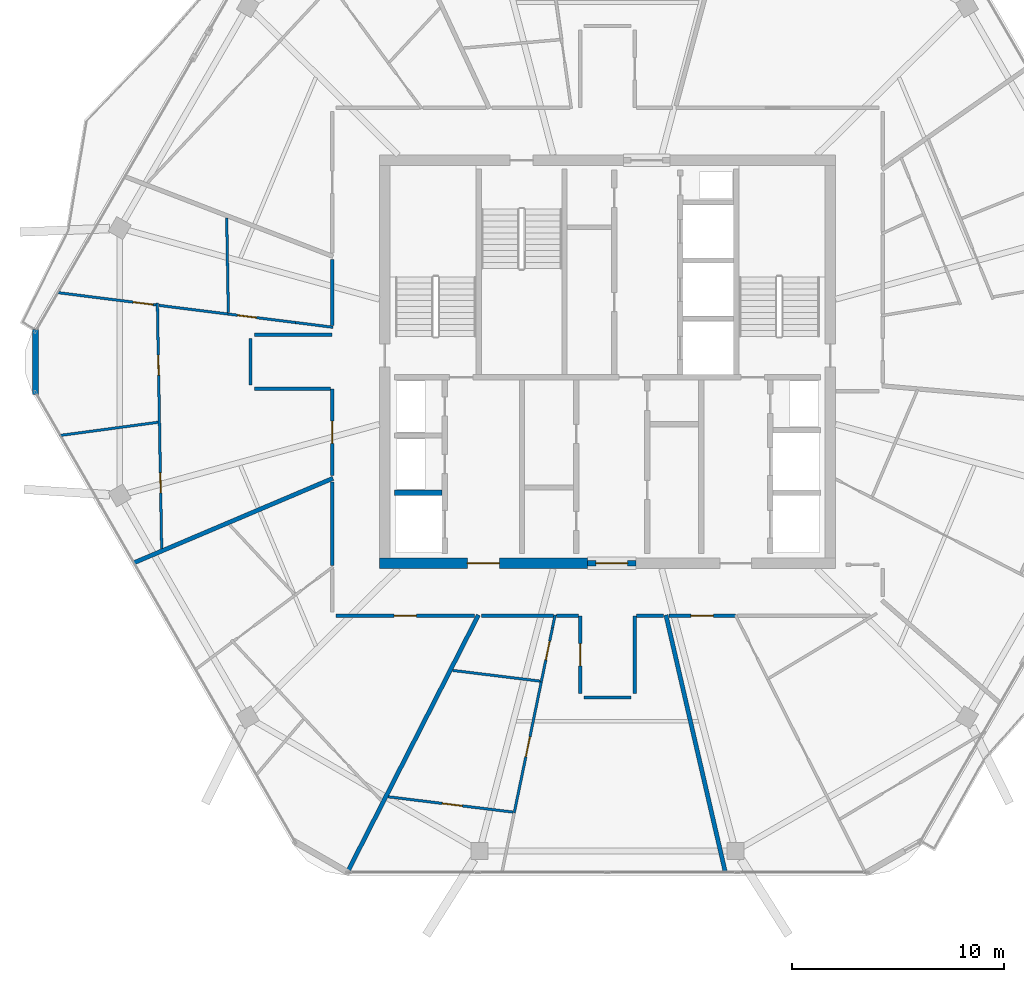
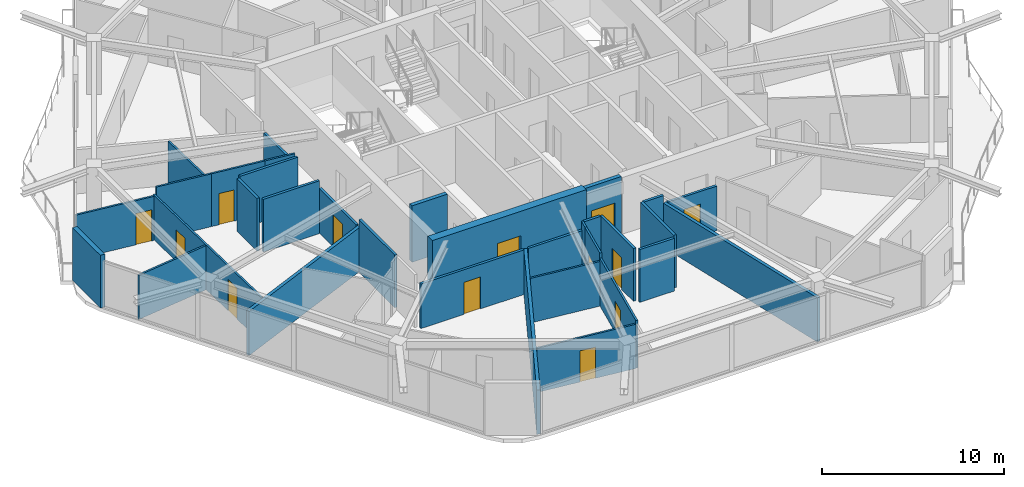
# One storey, part 12 of 19: 33 walls, 13 doors, 13 openings.
"""IFC4 building model written with IfcOpenShell, lengths in metres."""

from ifc_helpers import new_model, si_unit, direction, frame, frame_2d, origin, place, context, subcontext, project, spatial, rectangle, extrude, material, layer, layer_set, type_object, element, fill, save


model = new_model("IFC4")

# Units and contexts
model_context = context("Model", 3, precision=1e-05, world=origin(), true_north=direction((0.0, 1.0)))
body_context = subcontext(model_context, "Body", "Model", "MODEL_VIEW")
ifc_project = project(units=[si_unit("LENGTHUNIT", "METRE"), si_unit("AREAUNIT", "SQUARE_METRE"), si_unit("VOLUMEUNIT", "CUBIC_METRE"), si_unit("PLANEANGLEUNIT", "RADIAN"), si_unit("MASSUNIT", "GRAM", prefix="KILO")], contexts=[model_context])

# Site, building, storey
site_placement = place(None, origin())
site = spatial("IfcSite", under=ifc_project, at=site_placement, CompositionType="ELEMENT")
building_placement = place(site_placement, origin())
building = spatial("IfcBuilding", under=site, at=building_placement, Name="Zuhravey Tower", CompositionType="ELEMENT")
storey_placement = place(building_placement, frame((0.0, 0.0, 327.199951171875)))
storey = spatial("IfcBuildingStorey", under=building, at=storey_placement, Name="L83", CompositionType="ELEMENT", Elevation=327.199951171875)

# Wall, opening, door
ifc_material_1 = material(Name="Concrete C50/60", Category="concrete")
ifc_layer_1 = layer(ifc_material_1, 0.5)
ifc_layer_set_1 = layer_set([ifc_layer_1], Name="Concrete C50/60")
wall_type_1 = type_object("IfcWallType", Name="Core Shear Wall 500", PredefinedType="SHEAR", material=ifc_layer_set_1)
wall_1_placement = place(storey_placement, frame((25.25, 22.5, 0.0), z_axis=(0.0, 0.0, 1.0), x_axis=(1.0, 0.0, 0.0)))
wall_1 = element("IfcWall", 1, at=wall_1_placement, inside=storey, type_object=wall_type_1, Name="L83 South-West Core Shear Wall CW50", PredefinedType="SHEAR", context=body_context, shape_type="SweptSolid", body=[
    extrude(rectangle(XDim=9.800048828125, YDim=0.5, at=frame_2d((4.89990234375, 0.0))), origin(), (0.0, 0.0, 1.0), 3.800048828125),
])
opening_1_placement = place(wall_1_placement, frame((4.14990234375, 0.0, 0.0)))
opening_1 = element("IfcOpeningElement", 2, at=opening_1_placement, cuts=wall_1, Name="Opening FFD1", PredefinedType="OPENING", context=body_context, shape_type="SweptSolid", body=[
    extrude(rectangle(XDim=1.5, YDim=2.14990234375, at=frame_2d((0.75, 1.074951171875))), frame((0.0, 0.261962890625, 0.0), z_axis=(0.0, -1.0, 0.0), x_axis=(1.0, 0.0, 0.0)), (0.0, 0.0, 1.0), 0.52392578125),
])
ifc_material_2 = material(Name="Galvanised fire-rated steel leaf", Category="steel")
door_type_1 = type_object("IfcDoorType", Name="Firefighting Lobby Double Door 1500x2150", OperationType="DOUBLE_DOOR_SINGLE_SWING", PredefinedType="DOOR", material=ifc_material_2)
door_1_placement = place(opening_1_placement, origin())
door_1 = element("IfcDoor", 3, at=door_1_placement, inside=storey, type_object=door_type_1, Name="L83 Firefighting Lobby West Door", OperationType="DOUBLE_DOOR_SINGLE_SWING", OverallHeight=2.14990234375, OverallWidth=1.5, PredefinedType="DOOR", context=body_context, shape_type="SweptSolid", body=[
    extrude(rectangle(XDim=1.5, YDim=2.14990234375, at=frame_2d((0.75, 1.074951171875))), frame((0.0, 0.02490234375, 0.0), z_axis=(0.0, -1.0, 0.0), x_axis=(1.0, 0.0, 0.0)), (0.0, 0.0, 1.0), 0.050048828125),
])
fill(opening_1, door_1)

ifc_material_3 = material(Name="Gypsum fire-rated stud partition")
ifc_layer_2 = layer(ifc_material_3, 0.159912109375)
ifc_layer_set_2 = layer_set([ifc_layer_2], Name="Gypsum fire-rated stud partition")
wall_type_2 = type_object("IfcWallType", Name="Corridor Fire Partition 160", PredefinedType="PARTITIONING", material=ifc_layer_set_2)
wall_2_placement = place(storey_placement, frame((23.02001953125, 30.719970703125, 0.0), z_axis=(0.0, 0.0, 1.0), x_axis=(0.0, -1.0, 0.0)))
wall_2 = element("IfcWall", 4, at=wall_2_placement, inside=storey, type_object=wall_type_2, Name="L83 IW16 Partition 030", PredefinedType="PARTITIONING", context=body_context, shape_type="SweptSolid", body=[
    extrude(rectangle(XDim=4.07470703125, YDim=0.159912109375, at=frame_2d((2.037353515625, 0.0))), origin(), (0.0, 0.0, 1.0), 3.0),
])
opening_2_placement = place(wall_2_placement, frame((1.512451171875, 0.0, 0.0)))
opening_2 = element("IfcOpeningElement", 5, at=opening_2_placement, cuts=wall_2, Name="Opening APD1", PredefinedType="OPENING", context=body_context, shape_type="SweptSolid", body=[
    extrude(rectangle(XDim=1.050048828125, YDim=2.14990234375, at=frame_2d((0.52490234375, 1.074951171875))), frame((0.0, 0.092041015625, 0.0), z_axis=(0.0, -1.0, 0.0), x_axis=(1.0, 0.0, 0.0)), (0.0, 0.0, 1.0), 0.183837890625),
])
ifc_material_4 = material(Name="Solid-core oak fire-rated leaf")
door_type_2 = type_object("IfcDoorType", Name="Apartment Entrance Fire Door 1050x2150", OperationType="NOTDEFINED", PredefinedType="DOOR", material=ifc_material_4)
door_2_placement = place(opening_2_placement, frame((1.050048828125, 0.0, 0.0), z_axis=(0.0, 0.0, 1.0), x_axis=(-1.0, 0.0, 0.0)))
door_2 = element("IfcDoor", 6, at=door_2_placement, inside=storey, type_object=door_type_2, Name="L83 Door 030.1", OperationType="SINGLE_SWING_LEFT", OverallHeight=2.14990234375, OverallWidth=1.050048828125, PredefinedType="DOOR", context=body_context, shape_type="SweptSolid", body=[
    extrude(rectangle(XDim=1.050048828125, YDim=2.14990234375, at=frame_2d((0.52490234375, 1.074951171875))), frame((0.0, 0.02490234375, 0.0), z_axis=(0.0, -1.0, 0.0), x_axis=(1.0, 0.0, 0.0)), (0.0, 0.0, 1.0), 0.050048828125),
])
fill(opening_2, door_2)

wall_3_placement = place(storey_placement, frame((23.199951171875, 20.02001953125, 0.0), z_axis=(0.0, 0.0, 1.0), x_axis=(1.0, 0.0, 0.0)))
wall_3 = element("IfcWall", 7, at=wall_3_placement, inside=storey, type_object=wall_type_2, Name="L83 IW16 Partition 035", PredefinedType="PARTITIONING", context=body_context, shape_type="SweptSolid", body=[
    extrude(rectangle(XDim=6.541259765625, YDim=0.159912109375, at=frame_2d((3.2705078125, 0.0))), origin(), (0.0, 0.0, 1.0), 3.0),
])
opening_3_placement = place(wall_3_placement, frame((2.74560546875, 0.0, 0.0)))
opening_3 = element("IfcOpeningElement", 8, at=opening_3_placement, cuts=wall_3, Name="Opening APD1", PredefinedType="OPENING", context=body_context, shape_type="SweptSolid", body=[
    extrude(rectangle(XDim=1.050048828125, YDim=2.14990234375, at=frame_2d((0.52490234375, 1.074951171875))), frame((0.0, 0.092041015625, 0.0), z_axis=(0.0, -1.0, 0.0), x_axis=(1.0, 0.0, 0.0)), (0.0, 0.0, 1.0), 0.183837890625),
])
door_3_placement = place(opening_3_placement, frame((1.050048828125, 0.0, 0.0), z_axis=(0.0, 0.0, 1.0), x_axis=(-1.0, 0.0, 0.0)))
door_3 = element("IfcDoor", 9, at=door_3_placement, inside=storey, type_object=door_type_2, Name="L83 Door 035.1", OperationType="SINGLE_SWING_RIGHT", OverallHeight=2.14990234375, OverallWidth=1.050048828125, PredefinedType="DOOR", context=body_context, shape_type="SweptSolid", body=[
    extrude(rectangle(XDim=1.050048828125, YDim=2.14990234375, at=frame_2d((0.52490234375, 1.074951171875))), frame((0.0, 0.02490234375, 0.0), z_axis=(0.0, -1.0, 0.0), x_axis=(1.0, 0.0, 0.0)), (0.0, 0.0, 1.0), 0.050048828125),
])
fill(opening_3, door_3)

wall_4_placement = place(storey_placement, frame((34.719970703125, 20.02001953125, 0.0), z_axis=(0.0, 0.0, 1.0), x_axis=(0.0, -1.0, 0.0)))
wall_4 = element("IfcWall", 10, at=wall_4_placement, inside=storey, type_object=wall_type_2, Name="L83 IW16 Partition 039", PredefinedType="PARTITIONING", context=body_context, shape_type="SweptSolid", body=[
    extrude(rectangle(XDim=3.669921875, YDim=0.159912109375, at=frame_2d((1.8349609375, 0.0))), origin(), (0.0, 0.0, 1.0), 3.550048828125),
])
opening_4_placement = place(wall_4_placement, frame((1.31005859375, 0.0, 0.0)))
opening_4 = element("IfcOpeningElement", 11, at=opening_4_placement, cuts=wall_4, Name="Opening APD1", PredefinedType="OPENING", context=body_context, shape_type="SweptSolid", body=[
    extrude(rectangle(XDim=1.050048828125, YDim=2.14990234375, at=frame_2d((0.52490234375, 1.074951171875))), frame((0.0, 0.092041015625, 0.0), z_axis=(0.0, -1.0, 0.0), x_axis=(1.0, 0.0, 0.0)), (0.0, 0.0, 1.0), 0.183837890625),
])
door_4_placement = place(opening_4_placement, origin())
door_4 = element("IfcDoor", 12, at=door_4_placement, inside=storey, type_object=door_type_2, Name="L83 Door 039.1", OperationType="SINGLE_SWING_RIGHT", OverallHeight=2.14990234375, OverallWidth=1.050048828125, PredefinedType="DOOR", context=body_context, shape_type="SweptSolid", body=[
    extrude(rectangle(XDim=1.050048828125, YDim=2.14990234375, at=frame_2d((0.52490234375, 1.074951171875))), frame((0.0, 0.02490234375, 0.0), z_axis=(0.0, -1.0, 0.0), x_axis=(1.0, 0.0, 0.0)), (0.0, 0.0, 1.0), 0.050048828125),
])
fill(opening_4, door_4)

wall_5_placement = place(storey_placement, frame((38.896728515625, 20.02001953125, 0.0), z_axis=(0.0, 0.0, 1.0), x_axis=(1.0, 0.0, 0.0)))
wall_5 = element("IfcWall", 13, at=wall_5_placement, inside=storey, type_object=wall_type_2, Name="L83 IW16 Partition 043", PredefinedType="PARTITIONING", context=body_context, shape_type="SweptSolid", body=[
    extrude(rectangle(XDim=3.13232421875, YDim=0.159912109375, at=frame_2d((1.566162109375, 0.0))), origin(), (0.0, 0.0, 1.0), 3.0),
])
opening_5_placement = place(wall_5_placement, frame((1.041259765625, 0.0, 0.0)))
opening_5 = element("IfcOpeningElement", 14, at=opening_5_placement, cuts=wall_5, Name="Opening APD1", PredefinedType="OPENING", context=body_context, shape_type="SweptSolid", body=[
    extrude(rectangle(XDim=1.050048828125, YDim=2.14990234375, at=frame_2d((0.52490234375, 1.074951171875))), frame((0.0, 0.092041015625, 0.0), z_axis=(0.0, -1.0, 0.0), x_axis=(1.0, 0.0, 0.0)), (0.0, 0.0, 1.0), 0.183837890625),
])
door_5_placement = place(opening_5_placement, frame((1.050048828125, 0.0, 0.0), z_axis=(0.0, 0.0, 1.0), x_axis=(-1.0, 0.0, 0.0)))
door_5 = element("IfcDoor", 15, at=door_5_placement, inside=storey, type_object=door_type_2, Name="L83 Door 043.1", OperationType="SINGLE_SWING_RIGHT", OverallHeight=2.14990234375, OverallWidth=1.050048828125, PredefinedType="DOOR", context=body_context, shape_type="SweptSolid", body=[
    extrude(rectangle(XDim=1.050048828125, YDim=2.14990234375, at=frame_2d((0.52490234375, 1.074951171875))), frame((0.0, 0.02490234375, 0.0), z_axis=(0.0, -1.0, 0.0), x_axis=(1.0, 0.0, 0.0)), (0.0, 0.0, 1.0), 0.050048828125),
])
fill(opening_5, door_5)

# Walls
wall_6_placement = place(storey_placement, frame((23.02001953125, 33.280029296875, 0.0), z_axis=(0.0, 0.0, 1.0), x_axis=(-1.0, 0.0, 0.0)))
element("IfcWall", 16, at=wall_6_placement, inside=storey, type_object=wall_type_2, Name="L83 IW16 Partition 095", PredefinedType="PARTITIONING", context=body_context, shape_type="SweptSolid", body=[
    extrude(rectangle(XDim=3.669921875, YDim=0.159912109375, at=frame_2d((1.8349609375, 0.0))), origin(), (0.0, 0.0, 1.0), 3.550048828125),
])
wall_7_placement = place(storey_placement, frame((19.35009765625, 30.719970703125, 0.0), z_axis=(0.0, 0.0, 1.0), x_axis=(1.0, 0.0, 0.0)))
element("IfcWall", 17, at=wall_7_placement, inside=storey, type_object=wall_type_2, Name="L83 IW16 Partition 096", PredefinedType="PARTITIONING", context=body_context, shape_type="SweptSolid", body=[
    extrude(rectangle(XDim=3.581787109375, YDim=0.159912109375, at=frame_2d((1.791015625, 0.0))), origin(), (0.0, 0.0, 1.0), 3.550048828125),
])
wall_8_placement = place(storey_placement, frame((19.169921875, 33.10009765625, 0.0), z_axis=(0.0, 0.0, 1.0), x_axis=(0.0, -1.0, 0.0)))
element("IfcWall", 18, at=wall_8_placement, inside=storey, type_object=wall_type_2, Name="L83 IW16 Partition 097", PredefinedType="PARTITIONING", context=body_context, shape_type="SweptSolid", body=[
    extrude(rectangle(XDim=2.2001953125, YDim=0.159912109375, at=frame_2d((1.10009765625, 0.0))), origin(), (0.0, 0.0, 1.0), 3.550048828125),
])
wall_9_placement = place(storey_placement, frame((23.02001953125, 36.831787109375, 0.0), z_axis=(0.0, 0.0, 1.0), x_axis=(0.0, -1.0, 0.0)))
element("IfcWall", 19, at=wall_9_placement, inside=storey, type_object=wall_type_2, Name="L83 IW16 Partition 098", PredefinedType="PARTITIONING", context=body_context, shape_type="SweptSolid", body=[
    extrude(rectangle(XDim=3.13037109375, YDim=0.159912109375, at=frame_2d((1.565185546875, 0.0))), origin(), (0.0, 0.0, 1.0), 3.0),
])
wall_10_placement = place(storey_placement, frame((23.02001953125, 26.334228515625, 0.0), z_axis=(0.0, 0.0, 1.0), x_axis=(0.0, -1.0, 0.0)))
element("IfcWall", 20, at=wall_10_placement, inside=storey, type_object=wall_type_2, Name="L83 IW16 Partition 100", PredefinedType="PARTITIONING", context=body_context, shape_type="SweptSolid", body=[
    extrude(rectangle(XDim=3.9453125, YDim=0.159912109375, at=frame_2d((1.97265625, 0.0))), origin(), (0.0, 0.0, 1.0), 3.550048828125),
])
wall_11_placement = place(storey_placement, frame((37.280029296875, 16.35009765625, 0.0), z_axis=(0.0, 0.0, 1.0), x_axis=(0.0, 1.0, 0.0)))
element("IfcWall", 21, at=wall_11_placement, inside=storey, type_object=wall_type_2, Name="L83 IW16 Partition 101", PredefinedType="PARTITIONING", context=body_context, shape_type="SweptSolid", body=[
    extrude(rectangle(XDim=3.669921875, YDim=0.159912109375, at=frame_2d((1.8349609375, 0.0))), origin(), (0.0, 0.0, 1.0), 3.550048828125),
])
wall_12_placement = place(storey_placement, frame((34.89990234375, 16.169921875, 0.0), z_axis=(0.0, 0.0, 1.0), x_axis=(1.0, 0.0, 0.0)))
element("IfcWall", 22, at=wall_12_placement, inside=storey, type_object=wall_type_2, Name="L83 IW16 Partition 102", PredefinedType="PARTITIONING", context=body_context, shape_type="SweptSolid", body=[
    extrude(rectangle(XDim=2.2001953125, YDim=0.159912109375, at=frame_2d((1.10009765625, 0.0))), origin(), (0.0, 0.0, 1.0), 3.550048828125),
])
wall_13_placement = place(storey_placement, frame((37.367919921875, 20.02001953125, 0.0), z_axis=(0.0, 0.0, 1.0), x_axis=(1.0, 0.0, 0.0)))
element("IfcWall", 23, at=wall_13_placement, inside=storey, type_object=wall_type_2, Name="L83 IW16 Partition 103", PredefinedType="PARTITIONING", context=body_context, shape_type="SweptSolid", body=[
    extrude(rectangle(XDim=1.267578125, YDim=0.159912109375, at=frame_2d((0.6337890625, 0.0))), origin(), (0.0, 0.0, 1.0), 3.550048828125),
])
wall_14_placement = place(storey_placement, frame((33.5927734375, 20.02001953125, 0.0), z_axis=(0.0, 0.0, 1.0), x_axis=(1.0, 0.0, 0.0)))
element("IfcWall", 24, at=wall_14_placement, inside=storey, type_object=wall_type_2, Name="L83 IW16 Partition 104", PredefinedType="PARTITIONING", context=body_context, shape_type="SweptSolid", body=[
    extrude(rectangle(XDim=1.039306640625, YDim=0.159912109375, at=frame_2d((0.51953125, 0.0))), origin(), (0.0, 0.0, 1.0), 3.550048828125),
])
wall_15_placement = place(storey_placement, frame((30.04931640625, 20.02001953125, 0.0), z_axis=(0.0, 0.0, 1.0), x_axis=(1.0, 0.0, 0.0)))
element("IfcWall", 25, at=wall_15_placement, inside=storey, type_object=wall_type_2, Name="L83 IW16 Partition 105", PredefinedType="PARTITIONING", context=body_context, shape_type="SweptSolid", body=[
    extrude(rectangle(XDim=3.40478515625, YDim=0.159912109375, at=frame_2d((1.702392578125, 0.0))), origin(), (0.0, 0.0, 1.0), 3.0),
])
ifc_material_5 = material(Name="Precast concrete C40/50", Category="concrete")
ifc_layer_3 = layer(ifc_material_5, 0.280029296875)
ifc_layer_set_3 = layer_set([ifc_layer_3], Name="Precast concrete C40/50")
wall_type_3 = type_object("IfcWallType", Name="Crown Architectural Wall 280", PredefinedType="SOLIDWALL", material=ifc_layer_set_3)
wall_16_placement = place(storey_placement, frame((9.031494140625, 30.467529296875, 0.0), z_axis=(0.0, 0.0, 1.0), x_axis=(0.0, 1.0, 0.0)))
element("IfcWall", 26, at=wall_16_placement, inside=storey, type_object=wall_type_3, Name="L83 Rounded Corner Closure Wall EW28-06", PredefinedType="SOLIDWALL", context=body_context, shape_type="SweptSolid", body=[
    extrude(rectangle(XDim=3.06494140625, YDim=0.280029296875, at=frame_2d((1.532470703125, 0.0))), origin(), (0.0, 0.0, 1.0), 3.550048828125),
])

# Wall, opening, door
ifc_layer_4 = layer(ifc_material_1, 0.25)
ifc_layer_set_4 = layer_set([ifc_layer_4], Name="Concrete C50/60")
wall_type_4 = type_object("IfcWallType", Name="Firefighting Shaft & Stair Wall 250", PredefinedType="SOLIDWALL", material=ifc_layer_set_4)
wall_17_placement = place(storey_placement, frame((35.06005859375, 22.5, 0.0), z_axis=(0.0, 0.0, 1.0), x_axis=(1.0, 0.0, 0.0)))
wall_17 = element("IfcWall", 27, at=wall_17_placement, inside=storey, type_object=wall_type_4, Name="L83 FW25 Shaft Wall 001", PredefinedType="SOLIDWALL", context=body_context, shape_type="SweptSolid", body=[
    extrude(rectangle(XDim=2.280029296875, YDim=0.25, at=frame_2d((1.14013671875, 0.0))), origin(), (0.0, 0.0, 1.0), 3.800048828125),
])
opening_6_placement = place(wall_17_placement, frame((0.389892578125, 0.0, 0.0)))
opening_6 = element("IfcOpeningElement", 28, at=opening_6_placement, cuts=wall_17, Name="Opening FFD1", PredefinedType="OPENING", context=body_context, shape_type="SweptSolid", body=[
    extrude(rectangle(XDim=1.5, YDim=2.14990234375, at=frame_2d((0.75, 1.074951171875))), frame((0.0, 0.136962890625, 0.0), z_axis=(0.0, -1.0, 0.0), x_axis=(1.0, 0.0, 0.0)), (0.0, 0.0, 1.0), 0.27392578125),
])
door_6_placement = place(opening_6_placement, frame((1.5, 0.0, 0.0), z_axis=(0.0, 0.0, 1.0), x_axis=(-1.0, 0.0, 0.0)))
door_6 = element("IfcDoor", 29, at=door_6_placement, inside=storey, type_object=door_type_1, Name="L83 South Lift Lobby Exit Door", OperationType="DOUBLE_DOOR_SINGLE_SWING", OverallHeight=2.14990234375, OverallWidth=1.5, PredefinedType="DOOR", context=body_context, shape_type="SweptSolid", body=[
    extrude(rectangle(XDim=1.5, YDim=2.14990234375, at=frame_2d((0.75, 1.074951171875))), frame((0.0, 0.02490234375, 0.0), z_axis=(0.0, -1.0, 0.0), x_axis=(1.0, 0.0, 0.0)), (0.0, 0.0, 1.0), 0.050048828125),
])
fill(opening_6, door_6)

# Walls
wall_18_placement = place(storey_placement, frame((25.949951171875, 25.824951171875, 0.0), z_axis=(0.0, 0.0, 1.0), x_axis=(1.0, 0.0, 0.0)))
element("IfcWall", 30, at=wall_18_placement, inside=storey, type_object=wall_type_4, Name="L83 FW25 Shaft Wall 009", PredefinedType="SOLIDWALL", context=body_context, shape_type="SweptSolid", body=[
    extrude(rectangle(XDim=2.25, YDim=0.25, at=frame_2d((1.125, 0.0))), origin(), (0.0, 0.0, 1.0), 3.800048828125),
])
ifc_material_6 = material(Name="Gypsum double-stud party assembly")
ifc_layer_5 = layer(ifc_material_6, 0.199951171875)
ifc_layer_set_5 = layer_set([ifc_layer_5], Name="Gypsum double-stud party assembly")
wall_type_5 = type_object("IfcWallType", Name="Inter-Tenancy Party Wall 200", PredefinedType="PARTITIONING", material=ifc_layer_set_5)
wall_19_placement = place(storey_placement, frame((23.06005859375, 26.50732421875, 0.0), z_axis=(0.0, 0.0, 1.0), x_axis=(-0.920506642252, -0.390726914314, 0.0)))
element("IfcWall", 31, at=wall_19_placement, inside=storey, type_object=wall_type_5, Name="L83 IW20 Partition 067", PredefinedType="PARTITIONING", context=body_context, shape_type="SweptSolid", body=[
    extrude(rectangle(XDim=10.197265625, YDim=0.199951171875, at=frame_2d((5.0986328125, 0.0))), origin(), (0.0, 0.0, 1.0), 2.969970703125),
])
wall_20_placement = place(storey_placement, frame((29.916259765625, 20.06005859375, 0.0), z_axis=(0.0, 0.0, 1.0), x_axis=(-0.453984595432, -0.891009532559, 0.0)))
element("IfcWall", 32, at=wall_20_placement, inside=storey, type_object=wall_type_5, Name="L83 IW20 Partition 071", PredefinedType="PARTITIONING", context=body_context, shape_type="SweptSolid", body=[
    extrude(rectangle(XDim=13.617919921875, YDim=0.199951171875, at=frame_2d((6.80908203125, 0.0))), origin(), (0.0, 0.0, 1.0), 2.969970703125),
])
wall_21_placement = place(storey_placement, frame((38.756591796875, 20.06005859375, 0.0), z_axis=(0.0, 0.0, 1.0), x_axis=(0.224939685303, -0.974372689465, 0.0)))
element("IfcWall", 33, at=wall_21_placement, inside=storey, type_object=wall_type_5, Name="L83 IW20 Partition 075", PredefinedType="PARTITIONING", context=body_context, shape_type="SweptSolid", body=[
    extrude(rectangle(XDim=12.453369140625, YDim=0.199951171875, at=frame_2d((6.2265625, 0.0))), origin(), (0.0, 0.0, 1.0), 2.969970703125),
])

# Wall, openings, doors
ifc_material_7 = material(Name="Gypsum metal-stud partition")
ifc_layer_6 = layer(ifc_material_7, 0.1201171875)
ifc_layer_set_6 = layer_set([ifc_layer_6], Name="Gypsum metal-stud partition")
wall_type_6 = type_object("IfcWallType", Name="Unit Internal Partition 120", PredefinedType="PARTITIONING", material=ifc_layer_set_6)
wall_22_placement = place(storey_placement, frame((14.77978515625, 34.770263671875, 0.0), z_axis=(0.0, 0.0, 1.0), x_axis=(0.017447291159, -0.999847784431, 0.0)))
wall_22 = element("IfcWall", 34, at=wall_22_placement, inside=storey, type_object=wall_type_6, Name="L83 IW12 Partition 026", PredefinedType="PARTITIONING", context=body_context, shape_type="SweptSolid", body=[
    extrude(rectangle(XDim=11.586181640625, YDim=0.1201171875, at=frame_2d((5.79296875, 0.0))), origin(), (0.0, 0.0, 1.0), 3.0),
])
opening_7_placement = place(wall_22_placement, frame((2.45263671875, 0.0, 0.0)))
opening_7 = element("IfcOpeningElement", 35, at=opening_7_placement, cuts=wall_22, Name="Opening IND1", PredefinedType="OPENING", context=body_context, shape_type="SweptSolid", body=[
    extrude(rectangle(XDim=0.949951171875, YDim=2.10009765625, at=frame_2d((0.47509765625, 1.050048828125))), frame((0.0, 0.072021484375, 0.0), z_axis=(0.0, -1.0, 0.0), x_axis=(1.0, 0.0, 0.0)), (0.0, 0.0, 1.0), 0.14404296875),
])
opening_8_placement = place(wall_22_placement, frame((8.005126953125, 0.0, 0.0)))
opening_8 = element("IfcOpeningElement", 36, at=opening_8_placement, cuts=wall_22, Name="Opening IND1", PredefinedType="OPENING", context=body_context, shape_type="SweptSolid", body=[
    extrude(rectangle(XDim=0.949951171875, YDim=2.10009765625, at=frame_2d((0.47509765625, 1.050048828125))), frame((0.0, 0.072021484375, 0.0), z_axis=(0.0, -1.0, 0.0), x_axis=(1.0, 0.0, 0.0)), (0.0, 0.0, 1.0), 0.14404296875),
])
ifc_material_8 = material(Name="Painted engineered timber leaf", Category="wood")
door_type_3 = type_object("IfcDoorType", Name="Internal Room & Bedroom Door 950x2100", OperationType="NOTDEFINED", PredefinedType="DOOR", material=ifc_material_8)
door_7_placement = place(opening_7_placement, frame((0.949951171875, 0.0, 0.0), z_axis=(0.0, 0.0, 1.0), x_axis=(-1.0, 0.0, 0.0)))
door_7 = element("IfcDoor", 37, at=door_7_placement, inside=storey, type_object=door_type_3, Name="Apartment L83-02 Family Study Door", OperationType="SINGLE_SWING_LEFT", OverallHeight=2.10009765625, OverallWidth=0.949951171875, PredefinedType="DOOR", context=body_context, shape_type="SweptSolid", body=[
    extrude(rectangle(XDim=0.949951171875, YDim=2.10009765625, at=frame_2d((0.47509765625, 1.050048828125))), frame((0.0, 0.02490234375, 0.0), z_axis=(0.0, -1.0, 0.0), x_axis=(1.0, 0.0, 0.0)), (0.0, 0.0, 1.0), 0.050048828125),
])
fill(opening_7, door_7)
door_8_placement = place(opening_8_placement, frame((0.949951171875, 0.0, 0.0), z_axis=(0.0, 0.0, 1.0), x_axis=(-1.0, 0.0, 0.0)))
door_8 = element("IfcDoor", 38, at=door_8_placement, inside=storey, type_object=door_type_3, Name="Apartment L83-02 Dining Room Door", OperationType="SINGLE_SWING_RIGHT", OverallHeight=2.10009765625, OverallWidth=0.949951171875, PredefinedType="DOOR", context=body_context, shape_type="SweptSolid", body=[
    extrude(rectangle(XDim=0.949951171875, YDim=2.10009765625, at=frame_2d((0.47509765625, 1.050048828125))), frame((0.0, 0.02490234375, 0.0), z_axis=(0.0, -1.0, 0.0), x_axis=(1.0, 0.0, 0.0)), (0.0, 0.0, 1.0), 0.050048828125),
])
fill(opening_8, door_8)

# Wall, opening, door
wall_23_placement = place(storey_placement, frame((21.293701171875, 33.85009765625, 0.0), z_axis=(0.0, 0.0, 1.0), x_axis=(-0.992178326729, 0.1248285543, 0.0)))
wall_23 = element("IfcWall", 39, at=wall_23_placement, inside=storey, type_object=wall_type_6, Name="L83 IW12 Partition 027", PredefinedType="PARTITIONING", context=body_context, shape_type="SweptSolid", body=[
    extrude(rectangle(XDim=3.21728515625, YDim=0.1201171875, at=frame_2d((1.608642578125, 0.0))), origin(), (0.0, 0.0, 1.0), 3.550048828125),
])
opening_9_placement = place(wall_23_placement, frame((1.856201171875, 0.0, 0.0)))
opening_9 = element("IfcOpeningElement", 40, at=opening_9_placement, cuts=wall_23, Name="Opening WCD1", PredefinedType="OPENING", context=body_context, shape_type="SweptSolid", body=[
    extrude(rectangle(XDim=0.89990234375, YDim=2.10009765625, at=frame_2d((0.449951171875, 1.050048828125))), frame((0.0, 0.072021484375, 0.0), z_axis=(0.0, -1.0, 0.0), x_axis=(1.0, 0.0, 0.0)), (0.0, 0.0, 1.0), 0.14404296875),
])
ifc_material_9 = material(Name="Moisture-resistant timber leaf", Category="wood")
door_type_4 = type_object("IfcDoorType", Name="Bathroom & WC Internal Door 900x2100", OperationType="NOTDEFINED", PredefinedType="DOOR", material=ifc_material_9)
door_9_placement = place(opening_9_placement, frame((0.89990234375, 0.0, 0.0), z_axis=(0.0, 0.0, 1.0), x_axis=(-1.0, 0.0, 0.0)))
door_9 = element("IfcDoor", 41, at=door_9_placement, inside=storey, type_object=door_type_4, Name="Apartment L83-02 Bathroom Door", OperationType="SINGLE_SWING_LEFT", OverallHeight=2.10009765625, OverallWidth=0.89990234375, PredefinedType="DOOR", context=body_context, shape_type="SweptSolid", body=[
    extrude(rectangle(XDim=0.89990234375, YDim=2.10009765625, at=frame_2d((0.449951171875, 1.050048828125))), frame((0.0, 0.02490234375, 0.0), z_axis=(0.0, -1.0, 0.0), x_axis=(1.0, 0.0, 0.0)), (0.0, 0.0, 1.0), 0.050048828125),
])
fill(opening_9, door_9)

# Wall
wall_24_placement = place(storey_placement, frame((18.1015625, 34.251708984375, 0.0), z_axis=(0.0, 0.0, 1.0), x_axis=(-0.992185927593, 0.124768125279, 0.0)))
element("IfcWall", 42, at=wall_24_placement, inside=storey, type_object=wall_type_6, Name="L83 IW12 Partition 028", PredefinedType="PARTITIONING", context=body_context, shape_type="SweptSolid", body=[
    extrude(rectangle(XDim=3.277587890625, YDim=0.1201171875, at=frame_2d((1.638671875, 0.0))), origin(), (0.0, 0.0, 1.0), 3.550048828125),
])

# Wall, opening, door
wall_25_placement = place(storey_placement, frame((14.71337890625, 34.677734375, 0.0), z_axis=(0.0, 0.0, 1.0), x_axis=(-0.992180233529, 0.124813397493, 0.0)))
wall_25 = element("IfcWall", 43, at=wall_25_placement, inside=storey, type_object=wall_type_6, Name="L83 IW12 Partition 029", PredefinedType="PARTITIONING", context=body_context, shape_type="SweptSolid", body=[
    extrude(rectangle(XDim=4.669189453125, YDim=0.1201171875, at=frame_2d((2.33447265625, 0.0))), origin(), (0.0, 0.0, 1.0), 2.969970703125),
])
opening_10_placement = place(wall_25_placement, frame((0.139892578125, 0.0, 0.0)))
opening_10 = element("IfcOpeningElement", 44, at=opening_10_placement, cuts=wall_25, Name="Opening IND1", PredefinedType="OPENING", context=body_context, shape_type="SweptSolid", body=[
    extrude(rectangle(XDim=0.949951171875, YDim=2.10009765625, at=frame_2d((0.47509765625, 1.050048828125))), frame((0.0, 0.072021484375, 0.0), z_axis=(0.0, -1.0, 0.0), x_axis=(1.0, 0.0, 0.0)), (0.0, 0.0, 1.0), 0.14404296875),
])
door_10_placement = place(opening_10_placement, frame((0.949951171875, 0.0, 0.0), z_axis=(0.0, 0.0, 1.0), x_axis=(-1.0, 0.0, 0.0)))
door_10 = element("IfcDoor", 45, at=door_10_placement, inside=storey, type_object=door_type_3, Name="Apartment L83-02 Bedroom 1 Door", OperationType="SINGLE_SWING_RIGHT", OverallHeight=2.10009765625, OverallWidth=0.949951171875, PredefinedType="DOOR", context=body_context, shape_type="SweptSolid", body=[
    extrude(rectangle(XDim=0.949951171875, YDim=2.10009765625, at=frame_2d((0.47509765625, 1.050048828125))), frame((0.0, 0.02490234375, 0.0), z_axis=(0.0, -1.0, 0.0), x_axis=(1.0, 0.0, 0.0)), (0.0, 0.0, 1.0), 0.050048828125),
])
fill(opening_10, door_10)

wall_26_placement = place(storey_placement, frame((33.405517578125, 19.449951171875, 0.0), z_axis=(0.0, 0.0, 1.0), x_axis=(-0.202468586372, -0.979288757993, 0.0)))
wall_26 = element("IfcWall", 46, at=wall_26_placement, inside=storey, type_object=wall_type_6, Name="L83 IW12 Partition 036", PredefinedType="PARTITIONING", context=body_context, shape_type="SweptSolid", body=[
    extrude(rectangle(XDim=2.592529296875, YDim=0.1201171875, at=frame_2d((1.29638671875, 0.0))), origin(), (0.0, 0.0, 1.0), 3.550048828125),
])
opening_11_placement = place(wall_26_placement, frame((0.638916015625, 0.0, 0.0)))
opening_11 = element("IfcOpeningElement", 47, at=opening_11_placement, cuts=wall_26, Name="Opening WCD1", PredefinedType="OPENING", context=body_context, shape_type="SweptSolid", body=[
    extrude(rectangle(XDim=0.89990234375, YDim=2.10009765625, at=frame_2d((0.449951171875, 1.050048828125))), frame((0.0, 0.072021484375, 0.0), z_axis=(0.0, -1.0, 0.0), x_axis=(1.0, 0.0, 0.0)), (0.0, 0.0, 1.0), 0.14404296875),
])
door_11_placement = place(opening_11_placement, frame((0.89990234375, 0.0, 0.0), z_axis=(0.0, 0.0, 1.0), x_axis=(-1.0, 0.0, 0.0)))
door_11 = element("IfcDoor", 48, at=door_11_placement, inside=storey, type_object=door_type_4, Name="Apartment L83-04 Bathroom Door", OperationType="SINGLE_SWING_LEFT", OverallHeight=2.10009765625, OverallWidth=0.89990234375, PredefinedType="DOOR", context=body_context, shape_type="SweptSolid", body=[
    extrude(rectangle(XDim=0.89990234375, YDim=2.10009765625, at=frame_2d((0.449951171875, 1.050048828125))), frame((0.0, 0.02490234375, 0.0), z_axis=(0.0, -1.0, 0.0), x_axis=(1.0, 0.0, 0.0)), (0.0, 0.0, 1.0), 0.050048828125),
])
fill(opening_11, door_11)

wall_27_placement = place(storey_placement, frame((32.880859375, 16.9111328125, 0.0), z_axis=(0.0, 0.0, 1.0), x_axis=(-0.202463483785, -0.979289812943, 0.0)))
wall_27 = element("IfcWall", 49, at=wall_27_placement, inside=storey, type_object=wall_type_6, Name="L83 IW12 Partition 037", PredefinedType="PARTITIONING", context=body_context, shape_type="SweptSolid", body=[
    extrude(rectangle(XDim=6.305419921875, YDim=0.1201171875, at=frame_2d((3.15283203125, 0.0))), origin(), (0.0, 0.0, 1.0), 3.199951171875),
])
opening_12_placement = place(wall_27_placement, frame((2.652587890625, 0.0, 0.0)))
opening_12 = element("IfcOpeningElement", 50, at=opening_12_placement, cuts=wall_27, Name="Opening IND1", PredefinedType="OPENING", context=body_context, shape_type="SweptSolid", body=[
    extrude(rectangle(XDim=0.949951171875, YDim=2.10009765625, at=frame_2d((0.47509765625, 1.050048828125))), frame((0.0, 0.072021484375, 0.0), z_axis=(0.0, -1.0, 0.0), x_axis=(1.0, 0.0, 0.0)), (0.0, 0.0, 1.0), 0.14404296875),
])
door_12_placement = place(opening_12_placement, frame((0.949951171875, 0.0, 0.0), z_axis=(0.0, 0.0, 1.0), x_axis=(-1.0, 0.0, 0.0)))
door_12 = element("IfcDoor", 51, at=door_12_placement, inside=storey, type_object=door_type_3, Name="Apartment L83-04 Home Office Door", OperationType="SINGLE_SWING_RIGHT", OverallHeight=2.10009765625, OverallWidth=0.949951171875, PredefinedType="DOOR", context=body_context, shape_type="SweptSolid", body=[
    extrude(rectangle(XDim=0.949951171875, YDim=2.10009765625, at=frame_2d((0.47509765625, 1.050048828125))), frame((0.0, 0.02490234375, 0.0), z_axis=(0.0, -1.0, 0.0), x_axis=(1.0, 0.0, 0.0)), (0.0, 0.0, 1.0), 0.050048828125),
])
fill(opening_12, door_12)

wall_28_placement = place(storey_placement, frame((25.662841796875, 11.4912109375, 0.0), z_axis=(0.0, 0.0, 1.0), x_axis=(0.992544417597, -0.121883465234, 0.0)))
wall_28 = element("IfcWall", 52, at=wall_28_placement, inside=storey, type_object=wall_type_6, Name="L83 IW12 Partition 038", PredefinedType="PARTITIONING", context=body_context, shape_type="SweptSolid", body=[
    extrude(rectangle(XDim=5.923095703125, YDim=0.1201171875, at=frame_2d((2.96142578125, 0.0))), origin(), (0.0, 0.0, 1.0), 2.969970703125),
])
opening_13_placement = place(wall_28_placement, frame((2.57080078125, 0.0, 0.0)))
opening_13 = element("IfcOpeningElement", 53, at=opening_13_placement, cuts=wall_28, Name="Opening IND1", PredefinedType="OPENING", context=body_context, shape_type="SweptSolid", body=[
    extrude(rectangle(XDim=0.949951171875, YDim=2.10009765625, at=frame_2d((0.47509765625, 1.050048828125))), frame((0.0, 0.072021484375, 0.0), z_axis=(0.0, -1.0, 0.0), x_axis=(1.0, 0.0, 0.0)), (0.0, 0.0, 1.0), 0.14404296875),
])
door_13_placement = place(opening_13_placement, frame((0.949951171875, 0.0, 0.0), z_axis=(0.0, 0.0, 1.0), x_axis=(-1.0, 0.0, 0.0)))
door_13 = element("IfcDoor", 54, at=door_13_placement, inside=storey, type_object=door_type_3, Name="Apartment L83-04 Bedroom 1 Door", OperationType="SINGLE_SWING_LEFT", OverallHeight=2.10009765625, OverallWidth=0.949951171875, PredefinedType="DOOR", context=body_context, shape_type="SweptSolid", body=[
    extrude(rectangle(XDim=0.949951171875, YDim=2.10009765625, at=frame_2d((0.47509765625, 1.050048828125))), frame((0.0, 0.02490234375, 0.0), z_axis=(0.0, -1.0, 0.0), x_axis=(1.0, 0.0, 0.0)), (0.0, 0.0, 1.0), 0.050048828125),
])
fill(opening_13, door_13)

# Walls
wall_29_placement = place(storey_placement, frame((14.809814453125, 29.148193359375, 0.0), z_axis=(0.0, 0.0, 1.0), x_axis=(-0.99106212133, -0.133401168156, 0.0)))
element("IfcWall", 55, at=wall_29_placement, inside=storey, type_object=wall_type_6, Name="L83 IW12 Partition 064", PredefinedType="PARTITIONING", context=body_context, shape_type="SweptSolid", body=[
    extrude(rectangle(XDim=4.677734375, YDim=0.1201171875, at=frame_2d((2.3388671875, 0.0))), origin(), (0.0, 0.0, 1.0), 2.969970703125),
])
wall_30_placement = place(storey_placement, frame((23.064697265625, 33.627197265625, 0.0), z_axis=(0.0, 0.0, 1.0), x_axis=(-0.992172307506, 0.124876387752, 0.0)))
element("IfcWall", 56, at=wall_30_placement, inside=storey, type_object=wall_type_6, Name="L83 IW12 Partition 065", PredefinedType="PARTITIONING", context=body_context, shape_type="SweptSolid", body=[
    extrude(rectangle(XDim=1.784912109375, YDim=0.1201171875, at=frame_2d((0.892578125, 0.0))), origin(), (0.0, 0.0, 1.0), 3.550048828125),
])
wall_31_placement = place(storey_placement, frame((18.047607421875, 38.775634765625, 0.0), z_axis=(0.0, 0.0, 1.0), x_axis=(0.017410568339, -0.999848424567, 0.0)))
element("IfcWall", 57, at=wall_31_placement, inside=storey, type_object=wall_type_6, Name="L83 IW12 Partition 066", PredefinedType="PARTITIONING", context=body_context, shape_type="SweptSolid", body=[
    extrude(rectangle(XDim=4.459228515625, YDim=0.1201171875, at=frame_2d((2.2294921875, 0.0))), origin(), (0.0, 0.0, 1.0), 3.0),
])
wall_32_placement = place(storey_placement, frame((33.53271484375, 20.064453125, 0.0), z_axis=(0.0, 0.0, 1.0), x_axis=(-0.202695657212, -0.979241783498, 0.0)))
element("IfcWall", 58, at=wall_32_placement, inside=storey, type_object=wall_type_6, Name="L83 IW12 Partition 072", PredefinedType="PARTITIONING", context=body_context, shape_type="SweptSolid", body=[
    extrude(rectangle(XDim=0.62744140625, YDim=0.1201171875, at=frame_2d((0.313720703125, 0.0))), origin(), (0.0, 0.0, 1.0), 3.550048828125),
])
wall_33_placement = place(storey_placement, frame((28.70703125, 17.44873046875, 0.0), z_axis=(0.0, 0.0, 1.0), x_axis=(0.992543079952, -0.121894357702, 0.0)))
element("IfcWall", 59, at=wall_33_placement, inside=storey, type_object=wall_type_6, Name="L83 IW12 Partition 074", PredefinedType="PARTITIONING", context=body_context, shape_type="SweptSolid", body=[
    extrude(rectangle(XDim=4.14208984375, YDim=0.1201171875, at=frame_2d((2.071044921875, 0.0))), origin(), (0.0, 0.0, 1.0), 3.0),
])

save(model, "model.ifc")
